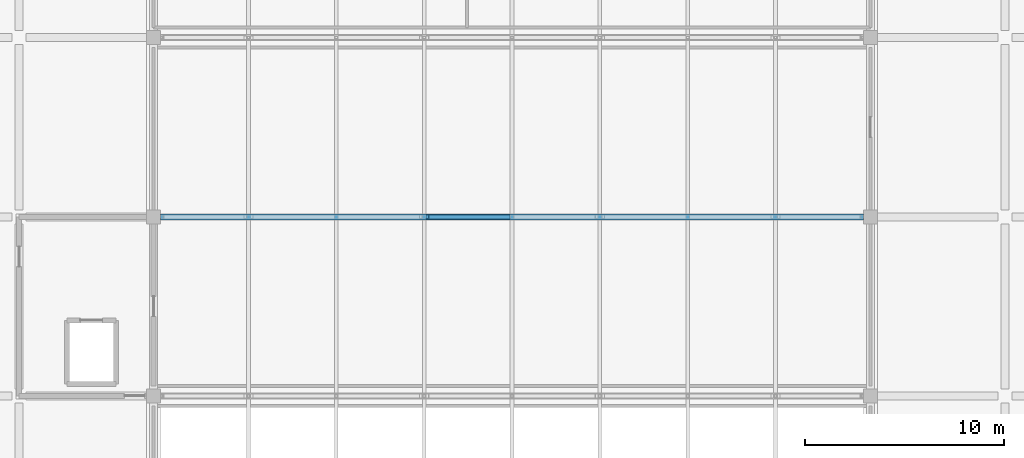
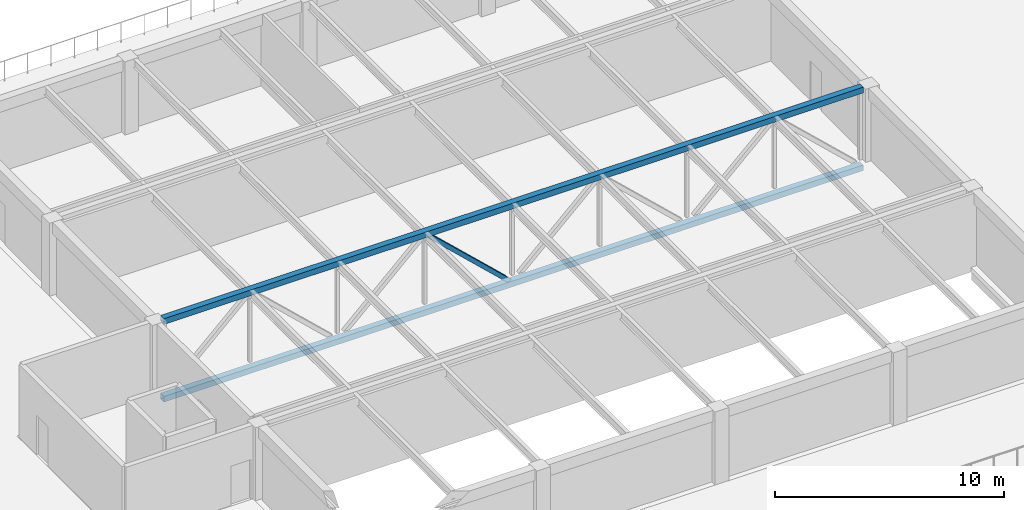
# One storey, part 6 of 30: 3 members.
"""IFC4 building model written with IfcOpenShell, lengths in metres."""

from ifc_helpers import new_model, si_unit, direction, frame, origin, origin_2d, place, context, subcontext, project, spatial, hollow_rectangle, extrude, material, material_profile, profile_set, type_object, element, save


model = new_model("IFC4")

# Units and contexts
model_context = context("Model", 3, precision=1e-05, world=origin(), true_north=direction((0.0, 1.0)))
body_context = subcontext(model_context, "Body", "Model", "MODEL_VIEW")
ifc_project = project(units=[si_unit("LENGTHUNIT", "METRE"), si_unit("AREAUNIT", "SQUARE_METRE"), si_unit("VOLUMEUNIT", "CUBIC_METRE"), si_unit("PLANEANGLEUNIT", "RADIAN"), si_unit("MASSUNIT", "GRAM", prefix="KILO")], contexts=[model_context])

# Site, building, storey
site_placement = place(None, origin())
site = spatial("IfcSite", under=ifc_project, at=site_placement, CompositionType="ELEMENT")
building_placement = place(site_placement, origin())
building = spatial("IfcBuilding", under=site, at=building_placement, Name="Corbel Stack Research Tower", CompositionType="ELEMENT")
storey_placement = place(building_placement, frame((0.0, 0.0, 19.5)))
storey = spatial("IfcBuildingStorey", under=building, at=storey_placement, Name="L04", CompositionType="ELEMENT", Elevation=19.5)

# Members
ifc_material_1 = material(Name="Steel S355", Category="steel")
ifc_material_profile_1 = material_profile(ifc_material_1, hollow_rectangle(XDim=0.304931640625, YDim=0.304931640625, WallThickness=0.014892578125, at=origin_2d()), Name="HSS12x12x5/8")
ifc_profile_set_1 = profile_set([ifc_material_profile_1], Name="Steel S355")
member_type_1 = type_object("IfcMemberType", Name="HT1 truss chord HSS12x12x5/8", PredefinedType="CHORD", material=ifc_profile_set_1)
for number, where, z_axis, x_axis, name in (
    (1, (51.300048828125, 0.0, -0.402587890625), (1.0, 0.0, 0.0), (0.0, 1.0, 0.0), "Truss TB2 bottom chord"),
    (2, (51.300048828125, 0.0, 3.74755859375), (1.0, 0.0, 0.0), (0.0, 1.0, 0.0), "Truss TB2 top chord"),
):
    element("IfcMember", number, at=place(storey_placement, frame(where, z_axis=z_axis, x_axis=x_axis)), inside=storey, type_object=member_type_1, Name=name, PredefinedType="CHORD", context=body_context, shape_type="SweptSolid", body=[
        extrude(hollow_rectangle(XDim=0.304931640625, YDim=0.304931640625, WallThickness=0.014892578125, at=origin_2d()), origin(), (0.0, 0.0, 1.0), 35.300048828125),
    ])
ifc_material_2 = material(Name="Steel S355", Category="steel")
ifc_material_profile_2 = material_profile(ifc_material_2, hollow_rectangle(XDim=0.202880859375, YDim=0.202880859375, WallThickness=0.0087890625, at=origin_2d()), Name="HSS8x8x3/8")
ifc_profile_set_2 = profile_set([ifc_material_profile_2], Name="Steel S355")
member_type_2 = type_object("IfcMemberType", Name="HT2 truss diagonal HSS8x8x3/8", PredefinedType="BRACE", material=ifc_profile_set_2)
member_placement = place(storey_placement, frame((64.69970703125, 0.0, 3.594970703125), z_axis=(0.728438769744, 0.0, -0.685110909805), x_axis=(0.0, 1.0, 0.0)))
element("IfcMember", 3, at=member_placement, inside=storey, type_object=member_type_2, Name="Truss TB2 diagonal 4", PredefinedType="BRACE", context=body_context, shape_type="SweptSolid", body=[
    extrude(hollow_rectangle(XDim=0.202880859375, YDim=0.202880859375, WallThickness=0.0087890625, at=origin_2d()), origin(), (0.0, 0.0, 1.0), 5.6123046875),
])

save(model, "model.ifc")
